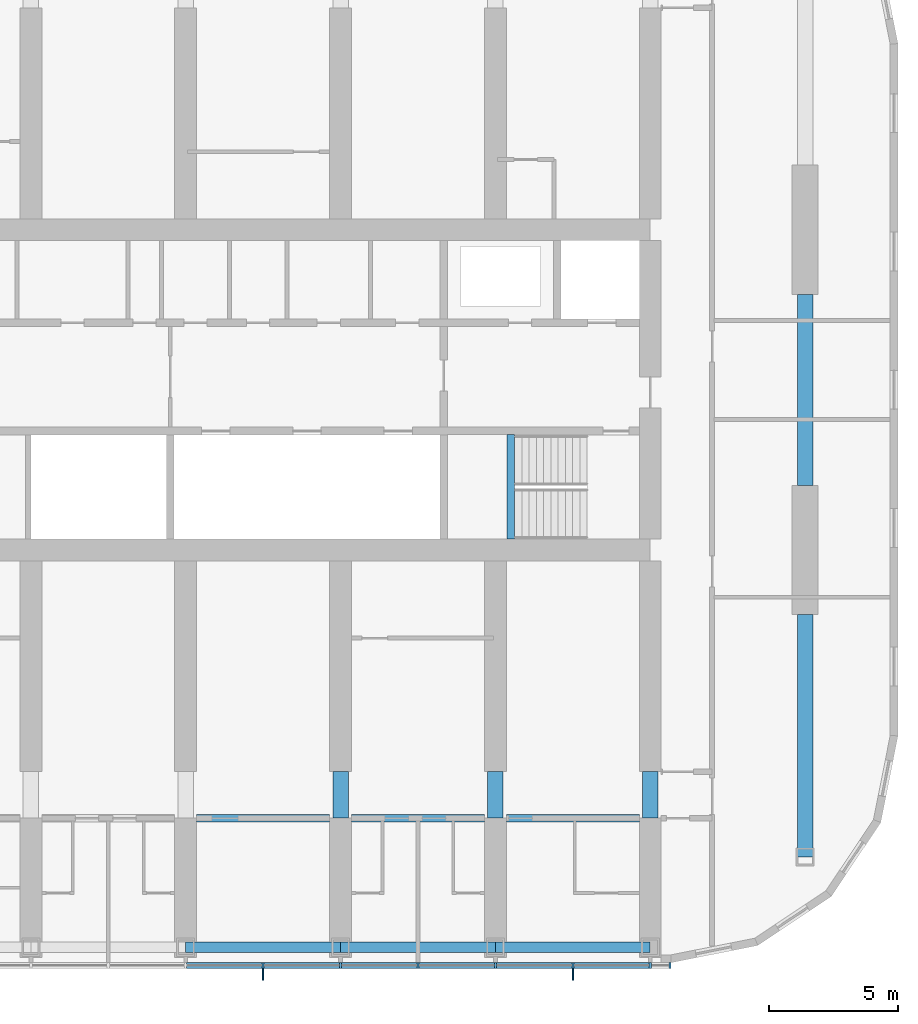
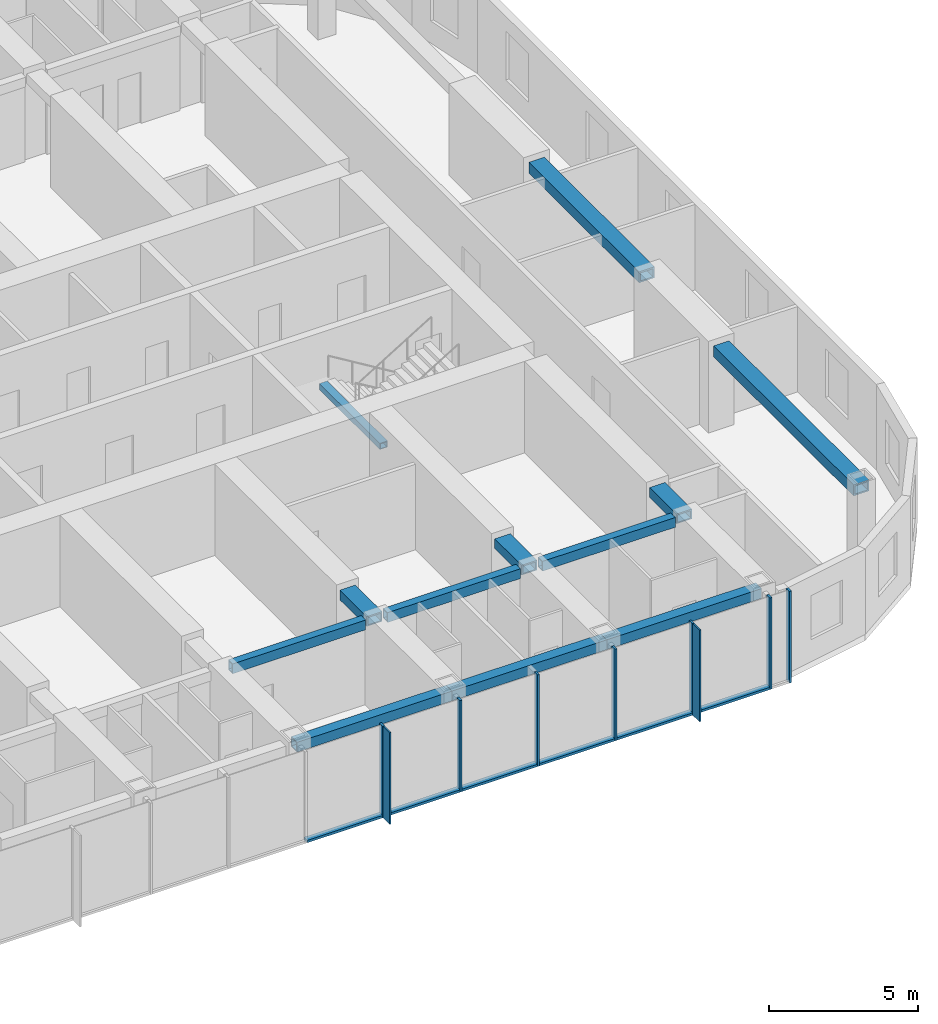
# One storey, part 3 of 23: 15 members, 12 beams, 1 element without a shape of its own.
"""IFC4 building model written with IfcOpenShell, lengths in metres."""

from ifc_helpers import new_model, si_unit, direction, frame, origin, origin_2d, place, context, subcontext, project, spatial, rectangle, hollow_rectangle, extrude, material, material_profile, profile_set, type_object, element, aggregate, save


model = new_model("IFC4")

# Units and contexts
model_context = context("Model", 3, precision=1e-05, world=origin(), true_north=direction((0.0, 1.0)))
body_context = subcontext(model_context, "Body", "Model", "MODEL_VIEW")
ifc_project = project(units=[si_unit("LENGTHUNIT", "METRE"), si_unit("AREAUNIT", "SQUARE_METRE"), si_unit("VOLUMEUNIT", "CUBIC_METRE"), si_unit("PLANEANGLEUNIT", "RADIAN"), si_unit("MASSUNIT", "GRAM", prefix="KILO")], contexts=[model_context])

# Site, building, storey
site_placement = place(None, origin())
site = spatial("IfcSite", under=ifc_project, at=site_placement, CompositionType="ELEMENT")
building_placement = place(site_placement, origin())
building = spatial("IfcBuilding", under=site, at=building_placement, Name="Orbita Commons", CompositionType="ELEMENT")
storey_placement = place(building_placement, frame((0.0, 0.0, 171.10009765625)))
storey = spatial("IfcBuildingStorey", under=building, at=storey_placement, Name="L42", CompositionType="ELEMENT", Elevation=171.10009765625)

# Curtain wall, members
ifc_material_1 = material(Name="Anodised aluminium frame, pale silver", Category="aluminium")
curtain_wall_type = type_object("IfcCurtainWallType", Name="Unitised curtain wall CW-U, full-height vision", PredefinedType="NOTDEFINED", material=ifc_material_1)
curtain_wall_placement = place(storey_placement, origin())
curtain_wall = element("IfcCurtainWall", 1, at=curtain_wall_placement, inside=storey, type_object=curtain_wall_type, Name="Curtain wall south L42", PredefinedType="NOTDEFINED")
ifc_material_2 = material(Name="Anodised aluminium, pale silver", Category="aluminium")
ifc_material_profile_1 = material_profile(ifc_material_2, rectangle(XDim=0.080078125, YDim=0.219970703125, at=origin_2d()), Name="AL 80x220")
ifc_profile_set_1 = profile_set([ifc_material_profile_1], Name="Anodised aluminium, pale silver")
member_type_1 = type_object("IfcMemberType", Name="Curtain wall mullion 80x220", PredefinedType="MULLION", material=ifc_profile_set_1)
member_1_placement = place(storey_placement, frame((51.0, 9.68994140625, -0.25), z_axis=(0.0, 0.0, 1.0), x_axis=(1.0, 0.0, 0.0)))
member_1 = element("IfcMember", 2, at=member_1_placement, type_object=member_type_1, Name="Mullion 13 CW-L42-S", PredefinedType="MULLION", context=body_context, shape_type="SweptSolid", body=[
    extrude(rectangle(XDim=0.080078125, YDim=0.219970703125, at=origin_2d()), origin(), (0.0, 0.0, 1.0), 3.75),
])
member_2_placement = place(storey_placement, frame((54.0, 9.68994140625, -0.25), z_axis=(0.0, 0.0, 1.0), x_axis=(1.0, 0.0, 0.0)))
member_2 = element("IfcMember", 3, at=member_2_placement, type_object=member_type_1, Name="Mullion 14 CW-L42-S", PredefinedType="MULLION", context=body_context, shape_type="SweptSolid", body=[
    extrude(rectangle(XDim=0.080078125, YDim=0.219970703125, at=origin_2d()), origin(), (0.0, 0.0, 1.0), 3.75),
])
member_3_placement = place(storey_placement, frame((57.0, 9.68994140625, -0.25), z_axis=(0.0, 0.0, 1.0), x_axis=(1.0, 0.0, 0.0)))
member_3 = element("IfcMember", 4, at=member_3_placement, type_object=member_type_1, Name="Mullion 15 CW-L42-S", PredefinedType="MULLION", context=body_context, shape_type="SweptSolid", body=[
    extrude(rectangle(XDim=0.080078125, YDim=0.219970703125, at=origin_2d()), origin(), (0.0, 0.0, 1.0), 3.75),
])
member_4_placement = place(storey_placement, frame((60.0, 9.68994140625, -0.25), z_axis=(0.0, 0.0, 1.0), x_axis=(1.0, 0.0, 0.0)))
member_4 = element("IfcMember", 5, at=member_4_placement, type_object=member_type_1, Name="Mullion 16 CW-L42-S", PredefinedType="MULLION", context=body_context, shape_type="SweptSolid", body=[
    extrude(rectangle(XDim=0.080078125, YDim=0.219970703125, at=origin_2d()), origin(), (0.0, 0.0, 1.0), 3.75),
])
member_5_placement = place(storey_placement, frame((63.0, 9.68994140625, -0.25), z_axis=(0.0, 0.0, 1.0), x_axis=(1.0, 0.0, 0.0)))
member_5 = element("IfcMember", 6, at=member_5_placement, type_object=member_type_1, Name="Mullion 17 CW-L42-S", PredefinedType="MULLION", context=body_context, shape_type="SweptSolid", body=[
    extrude(rectangle(XDim=0.080078125, YDim=0.219970703125, at=origin_2d()), origin(), (0.0, 0.0, 1.0), 3.75),
])
member_6_placement = place(storey_placement, frame((66.0, 9.68994140625, -0.25), z_axis=(0.0, 0.0, 1.0), x_axis=(1.0, 0.0, 0.0)))
member_6 = element("IfcMember", 7, at=member_6_placement, type_object=member_type_1, Name="Mullion 18 CW-L42-S", PredefinedType="MULLION", context=body_context, shape_type="SweptSolid", body=[
    extrude(rectangle(XDim=0.080078125, YDim=0.219970703125, at=origin_2d()), origin(), (0.0, 0.0, 1.0), 3.75),
])
member_7_placement = place(storey_placement, frame((66.760009765625, 9.68994140625, -0.25), z_axis=(0.0, 0.0, 1.0), x_axis=(1.0, 0.0, 0.0)))
member_7 = element("IfcMember", 8, at=member_7_placement, type_object=member_type_1, Name="Mullion 19 CW-L42-S", PredefinedType="MULLION", context=body_context, shape_type="SweptSolid", body=[
    extrude(rectangle(XDim=0.080078125, YDim=0.219970703125, at=origin_2d()), origin(), (0.0, 0.0, 1.0), 3.75),
])
ifc_material_3 = material(Name="Anodised aluminium, pale silver", Category="aluminium")
ifc_material_profile_2 = material_profile(ifc_material_3, rectangle(XDim=0.219970703125, YDim=0.10009765625, at=origin_2d()), Name="AL 220x100")
ifc_profile_set_2 = profile_set([ifc_material_profile_2], Name="Anodised aluminium, pale silver")
member_type_2 = type_object("IfcMemberType", Name="Curtain wall stack transom 220x100", PredefinedType="USERDEFINED", material=ifc_profile_set_2)
member_8_placement = place(storey_placement, frame((48.0400390625, 9.68994140625, -0.2001953125), z_axis=(1.0, 0.0, 0.0), x_axis=(0.0, 1.0, 0.0)))
member_8 = element("IfcMember", 9, at=member_8_placement, type_object=member_type_2, Name="Transom 12.1 CW-L42-S", ObjectType="TRANSOM", PredefinedType="USERDEFINED", context=body_context, shape_type="SweptSolid", body=[
    extrude(rectangle(XDim=0.219970703125, YDim=0.10009765625, at=origin_2d()), origin(), (0.0, 0.0, 1.0), 2.919921875),
])
member_9_placement = place(storey_placement, frame((51.0400390625, 9.68994140625, -0.2001953125), z_axis=(1.0, 0.0, 0.0), x_axis=(0.0, 1.0, 0.0)))
member_9 = element("IfcMember", 10, at=member_9_placement, type_object=member_type_2, Name="Transom 13.1 CW-L42-S", ObjectType="TRANSOM", PredefinedType="USERDEFINED", context=body_context, shape_type="SweptSolid", body=[
    extrude(rectangle(XDim=0.219970703125, YDim=0.10009765625, at=origin_2d()), origin(), (0.0, 0.0, 1.0), 2.919921875),
])
member_10_placement = place(storey_placement, frame((54.0400390625, 9.68994140625, -0.2001953125), z_axis=(1.0, 0.0, 0.0), x_axis=(0.0, 1.0, 0.0)))
member_10 = element("IfcMember", 11, at=member_10_placement, type_object=member_type_2, Name="Transom 14.1 CW-L42-S", ObjectType="TRANSOM", PredefinedType="USERDEFINED", context=body_context, shape_type="SweptSolid", body=[
    extrude(rectangle(XDim=0.219970703125, YDim=0.10009765625, at=origin_2d()), origin(), (0.0, 0.0, 1.0), 2.919921875),
])
member_11_placement = place(storey_placement, frame((57.0400390625, 9.68994140625, -0.2001953125), z_axis=(1.0, 0.0, 0.0), x_axis=(0.0, 1.0, 0.0)))
member_11 = element("IfcMember", 12, at=member_11_placement, type_object=member_type_2, Name="Transom 15.1 CW-L42-S", ObjectType="TRANSOM", PredefinedType="USERDEFINED", context=body_context, shape_type="SweptSolid", body=[
    extrude(rectangle(XDim=0.219970703125, YDim=0.10009765625, at=origin_2d()), origin(), (0.0, 0.0, 1.0), 2.919921875),
])
member_12_placement = place(storey_placement, frame((60.0400390625, 9.68994140625, -0.2001953125), z_axis=(1.0, 0.0, 0.0), x_axis=(0.0, 1.0, 0.0)))
member_12 = element("IfcMember", 13, at=member_12_placement, type_object=member_type_2, Name="Transom 16.1 CW-L42-S", ObjectType="TRANSOM", PredefinedType="USERDEFINED", context=body_context, shape_type="SweptSolid", body=[
    extrude(rectangle(XDim=0.219970703125, YDim=0.10009765625, at=origin_2d()), origin(), (0.0, 0.0, 1.0), 2.919921875),
])
member_13_placement = place(storey_placement, frame((63.0400390625, 9.68994140625, -0.2001953125), z_axis=(1.0, 0.0, 0.0), x_axis=(0.0, 1.0, 0.0)))
member_13 = element("IfcMember", 14, at=member_13_placement, type_object=member_type_2, Name="Transom 17.1 CW-L42-S", ObjectType="TRANSOM", PredefinedType="USERDEFINED", context=body_context, shape_type="SweptSolid", body=[
    extrude(rectangle(XDim=0.219970703125, YDim=0.10009765625, at=origin_2d()), origin(), (0.0, 0.0, 1.0), 2.919921875),
])

# Beams
ifc_material_4 = material(Name="Steel ASTM A572 Gr 50 welded plate", Category="steel")
ifc_material_profile_3 = material_profile(ifc_material_4, hollow_rectangle(XDim=0.300048828125, YDim=0.25, WallThickness=0.02490234375, at=origin_2d()), Name="BOX 250x300x25")
ifc_profile_set_3 = profile_set([ifc_material_profile_3], Name="Steel ASTM A572 Gr 50 welded plate")
beam_type_1 = type_object("IfcBeamType", Name="Stair landing beam steel BOX 250x300x25", PredefinedType="BEAM", material=ifc_profile_set_3)
beam_1_placement = place(storey_placement, frame((60.60009765625, 26.2099609375, 1.5498046875), z_axis=(0.0, 1.0, 0.0), x_axis=(-1.0, 0.0, 0.0)))
element("IfcBeam", 15, at=beam_1_placement, inside=storey, type_object=beam_type_1, Name="Stair S2 landing beam L42 1", PredefinedType="BEAM", context=body_context, shape_type="SweptSolid", body=[
    extrude(hollow_rectangle(XDim=0.300048828125, YDim=0.25, WallThickness=0.02490234375, at=origin_2d()), origin(), (0.0, 0.0, 1.0), 4.054931640625),
])
ifc_material_5 = material(Name="Steel ASTM A572 Gr 50 welded plate", Category="steel")
ifc_material_profile_4 = material_profile(ifc_material_5, hollow_rectangle(XDim=0.300048828125, YDim=0.39990234375, WallThickness=0.0400390625, at=origin_2d()), Name="BOX 400x300x40")
ifc_profile_set_4 = profile_set([ifc_material_profile_4], Name="Steel ASTM A572 Gr 50 welded plate")
beam_type_2 = type_object("IfcBeamType", Name="Steel corridor link BOX 400x300x40", PredefinedType="BEAM", material=ifc_profile_set_4)
for number, where, z_axis, x_axis, name in (
    (16, (48.425048828125, 15.39990234375, 3.2998046875), (1.0, 0.0, 0.0), (0.0, 1.0, 0.0), "Corridor beam SA 9-10 L42"),
    (17, (54.425048828125, 15.39990234375, 3.2998046875), (1.0, 0.0, 0.0), (0.0, 1.0, 0.0), "Corridor beam SA 10-11 L42"),
    (18, (60.425048828125, 15.39990234375, 3.2998046875), (1.0, 0.0, 0.0), (0.0, 1.0, 0.0), "Corridor beam SA 11-12 L42"),
):
    element("IfcBeam", number, at=place(storey_placement, frame(where, z_axis=z_axis, x_axis=x_axis)), inside=storey, type_object=beam_type_2, Name=name, PredefinedType="BEAM", context=body_context, shape_type="SweptSolid", body=[
        extrude(hollow_rectangle(XDim=0.300048828125, YDim=0.39990234375, WallThickness=0.0400390625, at=origin_2d()), origin(), (0.0, 0.0, 1.0), 5.14990234375),
    ])
ifc_material_6 = material(Name="Steel ASTM A572 Gr 50 welded plate", Category="steel")
ifc_material_profile_5 = material_profile(ifc_material_6, hollow_rectangle(XDim=0.60009765625, YDim=0.39990234375, WallThickness=0.050048828125, at=origin_2d()), Name="BOX 400x600x50")
ifc_profile_set_5 = profile_set([ifc_material_profile_5], Name="Steel ASTM A572 Gr 50 welded plate")
beam_type_3 = type_object("IfcBeamType", Name="Steel coupling link BOX 400x600x50", PredefinedType="LINTEL", material=ifc_profile_set_5)
for number, where, z_axis, x_axis, name in (
    (19, (54.0, 15.39990234375, 3.2998046875), (0.0, 1.0, 0.0), (-1.0, 0.0, 0.0), "Coupling beam 10 south L42"),
    (20, (60.0, 15.39990234375, 3.2998046875), (0.0, 1.0, 0.0), (-1.0, 0.0, 0.0), "Coupling beam 11 south L42"),
    (21, (66.0, 15.39990234375, 3.2998046875), (0.0, 1.0, 0.0), (-1.0, 0.0, 0.0), "Coupling beam 12 south L42"),
):
    element("IfcBeam", number, at=place(storey_placement, frame(where, z_axis=z_axis, x_axis=x_axis)), inside=storey, type_object=beam_type_3, Name=name, PredefinedType="LINTEL", context=body_context, shape_type="SweptSolid", body=[
        extrude(hollow_rectangle(XDim=0.60009765625, YDim=0.39990234375, WallThickness=0.050048828125, at=origin_2d()), origin(), (0.0, 0.0, 1.0), 1.800048828125),
    ])
ifc_material_7 = material(Name="Steel ASTM A572 Gr 50 welded plate", Category="steel")
ifc_material_profile_6 = material_profile(ifc_material_7, hollow_rectangle(XDim=0.60009765625, YDim=0.449951171875, WallThickness=0.06005859375, at=origin_2d()), Name="BOX 450x600x60")
ifc_profile_set_6 = profile_set([ifc_material_profile_6], Name="Steel ASTM A572 Gr 50 welded plate")
beam_type_4 = type_object("IfcBeamType", Name="Steel end frame link BOX 450x600x60", PredefinedType="BEAM", material=ifc_profile_set_6)
beam_2_placement = place(storey_placement, frame((72.0, 13.89990234375, 3.27490234375), z_axis=(0.0, 1.0, 0.0), x_axis=(-1.0, 0.0, 0.0)))
element("IfcBeam", 22, at=beam_2_placement, inside=storey, type_object=beam_type_4, Name="End frame beam 13 B-C L42", PredefinedType="BEAM", context=body_context, shape_type="SweptSolid", body=[
    extrude(hollow_rectangle(XDim=0.60009765625, YDim=0.449951171875, WallThickness=0.06005859375, at=origin_2d()), origin(), (0.0, 0.0, 1.0), 9.400146484375),
])
beam_3_placement = place(storey_placement, frame((72.0, 28.300048828125, 3.27490234375), z_axis=(0.0, 1.0, 0.0), x_axis=(-1.0, 0.0, 0.0)))
element("IfcBeam", 23, at=beam_3_placement, inside=storey, type_object=beam_type_4, Name="End frame beam 13 C-D L42", PredefinedType="BEAM", context=body_context, shape_type="SweptSolid", body=[
    extrude(hollow_rectangle(XDim=0.60009765625, YDim=0.449951171875, WallThickness=0.06005859375, at=origin_2d()), origin(), (0.0, 0.0, 1.0), 7.39990234375),
])
ifc_material_8 = material(Name="Steel ASTM A572 Gr 50 welded plate", Category="steel")
ifc_material_profile_7 = material_profile(ifc_material_8, hollow_rectangle(XDim=0.39990234375, YDim=0.39990234375, WallThickness=0.0400390625, at=origin_2d()), Name="BOX 400x400x40")
ifc_profile_set_7 = profile_set([ifc_material_profile_7], Name="Steel ASTM A572 Gr 50 welded plate")
beam_type_5 = type_object("IfcBeamType", Name="Steel spandrel BOX 400x400x40", PredefinedType="SPANDREL", material=ifc_profile_set_7)
for number, where, z_axis, x_axis, name in (
    (24, (48.0, 10.39990234375, 3.2998046875), (1.0, 0.0, 0.0), (0.0, 1.0, 0.0), "Spandrel beam B 9-10 L42"),
    (25, (54.0, 10.39990234375, 3.2998046875), (1.0, 0.0, 0.0), (0.0, 1.0, 0.0), "Spandrel beam B 10-11 L42"),
    (26, (60.0, 10.39990234375, 3.2998046875), (1.0, 0.0, 0.0), (0.0, 1.0, 0.0), "Spandrel beam B 11-12 L42"),
):
    element("IfcBeam", number, at=place(storey_placement, frame(where, z_axis=z_axis, x_axis=x_axis)), inside=storey, type_object=beam_type_5, Name=name, PredefinedType="SPANDREL", context=body_context, shape_type="SweptSolid", body=[
        extrude(hollow_rectangle(XDim=0.39990234375, YDim=0.39990234375, WallThickness=0.0400390625, at=origin_2d()), origin(), (0.0, 0.0, 1.0), 6.0),
    ])

# Member
ifc_material_9 = material(Name="Anodised aluminium, pale silver", Category="aluminium")
ifc_material_profile_8 = material_profile(ifc_material_9, rectangle(XDim=0.06005859375, YDim=0.449951171875, at=origin_2d()), Name="FIN 60x450")
ifc_profile_set_8 = profile_set([ifc_material_profile_8], Name="Anodised aluminium, pale silver")
member_type_3 = type_object("IfcMemberType", Name="Vertical fin 60x450 pale aluminium", PredefinedType="USERDEFINED", material=ifc_profile_set_8)
member_14_placement = place(storey_placement, frame((51.0, 9.35498046875, -0.25), z_axis=(0.0, 0.0, 1.0), x_axis=(1.0, 0.0, 0.0)))
member_14 = element("IfcMember", 27, at=member_14_placement, type_object=member_type_3, Name="Fin 13 CW-L42-S", ObjectType="FIN", PredefinedType="USERDEFINED", context=body_context, shape_type="SweptSolid", body=[
    extrude(rectangle(XDim=0.06005859375, YDim=0.449951171875, at=origin_2d()), origin(), (0.0, 0.0, 1.0), 3.75),
])

member_15_placement = place(storey_placement, frame((63.0, 9.35498046875, -0.25), z_axis=(0.0, 0.0, 1.0), x_axis=(1.0, 0.0, 0.0)))
member_15 = element("IfcMember", 28, at=member_15_placement, type_object=member_type_3, Name="Fin 17 CW-L42-S", ObjectType="FIN", PredefinedType="USERDEFINED", context=body_context, shape_type="SweptSolid", body=[
    extrude(rectangle(XDim=0.06005859375, YDim=0.449951171875, at=origin_2d()), origin(), (0.0, 0.0, 1.0), 3.75),
])

aggregate(curtain_wall, [member_1, member_14, member_2, member_3, member_4, member_5, member_15, member_6, member_7, member_8, member_9, member_10, member_11, member_12, member_13])

save(model, "model.ifc")
